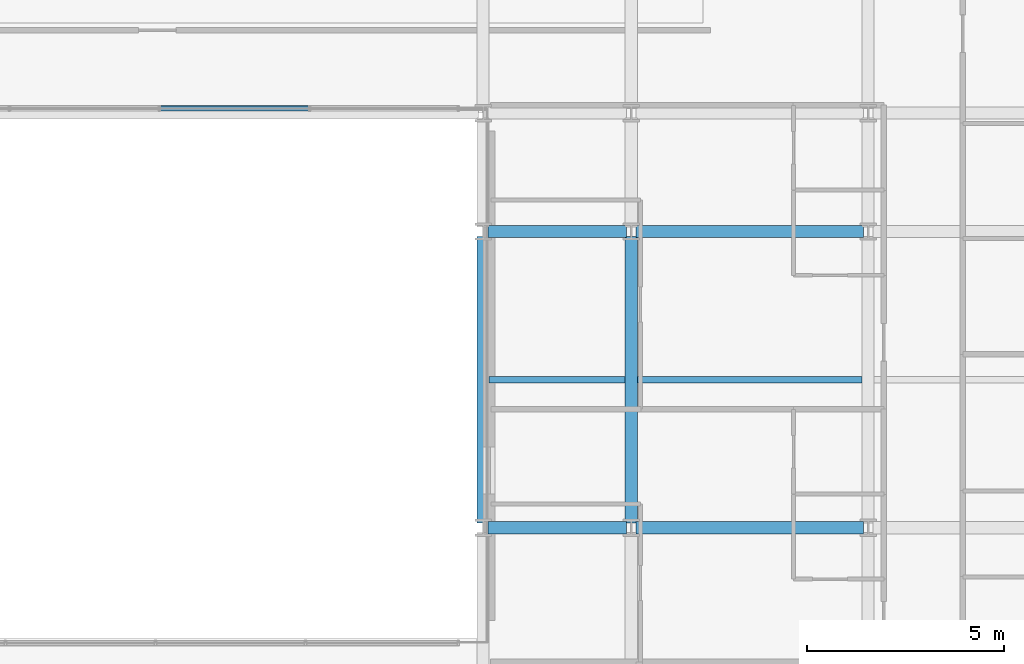
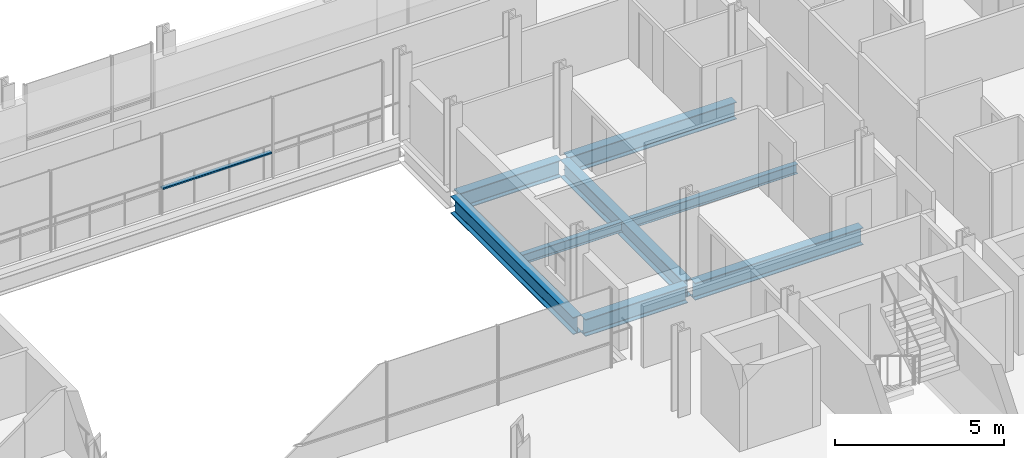
# One storey, part 16 of 39: 8 beams, 1 member, 1 element without a shape of its own.
"""IFC4 building model written with IfcOpenShell, lengths in metres."""

from ifc_helpers import new_model, si_unit, direction, frame, origin, origin_2d, place, context, subcontext, project, spatial, hollow_rectangle, i_section, extrude, material, layer, layer_set, material_profile, profile_set, type_object, element, aggregate, save


model = new_model("IFC4")

# Units and contexts
model_context = context("Model", 3, precision=1e-05, world=origin(), true_north=direction((0.0, 1.0)))
body_context = subcontext(model_context, "Body", "Model", "MODEL_VIEW")
ifc_project = project(units=[si_unit("LENGTHUNIT", "METRE"), si_unit("AREAUNIT", "SQUARE_METRE"), si_unit("VOLUMEUNIT", "CUBIC_METRE"), si_unit("PLANEANGLEUNIT", "RADIAN"), si_unit("MASSUNIT", "GRAM", prefix="KILO")], contexts=[model_context])

# Site, building, storey
site_placement = place(None, origin())
site = spatial("IfcSite", under=ifc_project, at=site_placement, CompositionType="ELEMENT")
building_placement = place(site_placement, origin())
building = spatial("IfcBuilding", under=site, at=building_placement, Name="Brevholm Reach", CompositionType="ELEMENT")
storey_placement = place(building_placement, frame((0.0, 0.0, 90.0)))
storey = spatial("IfcBuildingStorey", under=building, at=storey_placement, Name="L26", CompositionType="ELEMENT", Elevation=90.0)

# Beams
ifc_material_1 = material(Name="Structural Steel S355J2", Category="steel")
ifc_material_profile_1 = material_profile(ifc_material_1, i_section(OverallWidth=0.17138671875, OverallDepth=0.35498046875, WebThickness=0.00732421875, FlangeThickness=0.011474609375, FilletRadius=0.01025390625, at=origin_2d()), Name="UKB 356x171x51")
ifc_profile_set_1 = profile_set([ifc_material_profile_1], Name="Structural Steel S355J2")
beam_type_1 = type_object("IfcBeamType", Name="BM-B356", PredefinedType="BEAM", material=ifc_profile_set_1)
beam_1_placement = place(storey_placement, frame((38.403564453125, 19.75, -0.407470703125), z_axis=(1.0, 0.0, 0.0), x_axis=(0.0, 1.0, 0.0)))
element("IfcBeam", 1, at=beam_1_placement, inside=storey, type_object=beam_type_1, Name="L26 Composite Secondary Floor Beam", PredefinedType="BEAM", context=body_context, shape_type="SweptSolid", body=[
    extrude(i_section(OverallWidth=0.17138671875, OverallDepth=0.35498046875, WebThickness=0.00732421875, FlangeThickness=0.011474609375, FilletRadius=0.01025390625, at=origin_2d()), origin(), (0.0, 0.0, 1.0), 3.44287109375),
])
beam_2_placement = place(storey_placement, frame((42.153564453125, 19.75, -0.407470703125), z_axis=(1.0, 0.0, 0.0), x_axis=(0.0, 1.0, 0.0)))
element("IfcBeam", 2, at=beam_2_placement, inside=storey, type_object=beam_type_1, Name="L26 Composite Secondary Floor Beam", PredefinedType="BEAM", context=body_context, shape_type="SweptSolid", body=[
    extrude(i_section(OverallWidth=0.17138671875, OverallDepth=0.35498046875, WebThickness=0.00732421875, FlangeThickness=0.011474609375, FilletRadius=0.01025390625, at=origin_2d()), origin(), (0.0, 0.0, 1.0), 5.69287109375),
])
ifc_material_2 = material(Name="Structural Steel S355J2", Category="steel")
ifc_material_profile_2 = material_profile(ifc_material_2, i_section(OverallWidth=0.30712890625, OverallDepth=0.6201171875, WebThickness=0.01416015625, FlangeThickness=0.023681640625, FilletRadius=0.0166015625, at=origin_2d()), Name="UKB 610x305x179")
ifc_profile_set_2 = profile_set([ifc_material_profile_2], Name="Structural Steel S355J2")
beam_type_2 = type_object("IfcBeamType", Name="BM-UKB610H", PredefinedType="USERDEFINED", material=ifc_profile_set_2)
beam_3_placement = place(storey_placement, frame((38.3701171875, 16.0, -0.5400390625), z_axis=(1.0, 0.0, 0.0), x_axis=(0.0, 1.0, 0.0)))
element("IfcBeam", 3, at=beam_3_placement, inside=storey, type_object=beam_type_2, Name="L26 G-06 Framing Beam", ObjectType="GIRDER", PredefinedType="USERDEFINED", context=body_context, shape_type="SweptSolid", body=[
    extrude(i_section(OverallWidth=0.30712890625, OverallDepth=0.6201171875, WebThickness=0.01416015625, FlangeThickness=0.023681640625, FilletRadius=0.0166015625, at=origin_2d()), origin(), (0.0, 0.0, 1.0), 3.509765625),
])
beam_4_placement = place(storey_placement, frame((42.1201171875, 16.0, -0.5400390625), z_axis=(1.0, 0.0, 0.0), x_axis=(0.0, 1.0, 0.0)))
element("IfcBeam", 4, at=beam_4_placement, inside=storey, type_object=beam_type_2, Name="L26 G-06 Framing Beam", ObjectType="GIRDER", PredefinedType="USERDEFINED", context=body_context, shape_type="SweptSolid", body=[
    extrude(i_section(OverallWidth=0.30712890625, OverallDepth=0.6201171875, WebThickness=0.01416015625, FlangeThickness=0.023681640625, FilletRadius=0.0166015625, at=origin_2d()), origin(), (0.0, 0.0, 1.0), 5.759765625),
])
beam_5_placement = place(storey_placement, frame((38.3701171875, 23.5, -0.5400390625), z_axis=(1.0, 0.0, 0.0), x_axis=(0.0, 1.0, 0.0)))
element("IfcBeam", 5, at=beam_5_placement, inside=storey, type_object=beam_type_2, Name="L26 G-06 Framing Beam", ObjectType="GIRDER", PredefinedType="USERDEFINED", context=body_context, shape_type="SweptSolid", body=[
    extrude(i_section(OverallWidth=0.30712890625, OverallDepth=0.6201171875, WebThickness=0.01416015625, FlangeThickness=0.023681640625, FilletRadius=0.0166015625, at=origin_2d()), origin(), (0.0, 0.0, 1.0), 3.509765625),
])
beam_6_placement = place(storey_placement, frame((42.1201171875, 23.5, -0.5400390625), z_axis=(1.0, 0.0, 0.0), x_axis=(0.0, 1.0, 0.0)))
element("IfcBeam", 6, at=beam_6_placement, inside=storey, type_object=beam_type_2, Name="L26 G-06 Framing Beam", ObjectType="GIRDER", PredefinedType="USERDEFINED", context=body_context, shape_type="SweptSolid", body=[
    extrude(i_section(OverallWidth=0.30712890625, OverallDepth=0.6201171875, WebThickness=0.01416015625, FlangeThickness=0.023681640625, FilletRadius=0.0166015625, at=origin_2d()), origin(), (0.0, 0.0, 1.0), 5.759765625),
])
for number, where, z_axis, x_axis, name in (
    (7, (38.25, 16.1201171875, -0.5400390625), (0.0, 1.0, 0.0), (-1.0, 0.0, 0.0), "L26 G-06 Framing Beam"),
    (8, (42.0, 16.1201171875, -0.5400390625), (0.0, 1.0, 0.0), (-1.0, 0.0, 0.0), "L26 G-06 Framing Beam"),
):
    element("IfcBeam", number, at=place(storey_placement, frame(where, z_axis=z_axis, x_axis=x_axis)), inside=storey, type_object=beam_type_2, Name=name, ObjectType="GIRDER", PredefinedType="USERDEFINED", context=body_context, shape_type="SweptSolid", body=[
        extrude(i_section(OverallWidth=0.30712890625, OverallDepth=0.6201171875, WebThickness=0.01416015625, FlangeThickness=0.023681640625, FilletRadius=0.0166015625, at=origin_2d()), origin(), (0.0, 0.0, 1.0), 7.259765625),
    ])

# Curtain wall, member
ifc_material_3 = material(Name="Dark Anodised Aluminium 6063-T6 and Solar-Control Glass", Category="aluminium")
ifc_layer = layer(ifc_material_3, 0.139892578125)
ifc_layer_set = layer_set([ifc_layer], Name="Dark Anodised Aluminium 6063-T6 and Solar-Control Glass")
curtain_wall_type = type_object("IfcCurtainWallType", Name="CW-02", PredefinedType="NOTDEFINED", material=ifc_layer_set)
curtain_wall_placement = place(storey_placement, origin())
curtain_wall = element("IfcCurtainWall", 9, at=curtain_wall_placement, inside=storey, type_object=curtain_wall_type, Name="L26 Curtain Wall CW-02", PredefinedType="NOTDEFINED")
ifc_material_4 = material(Name="Dark Anodised Aluminium 6063-T6", Category="aluminium")
ifc_material_profile_3 = material_profile(ifc_material_4, hollow_rectangle(XDim=0.06005859375, YDim=0.139892578125, WallThickness=0.0048828125, InnerFilletRadius=0.0048828125, OuterFilletRadius=0.010009765625, at=origin_2d()), Name="RHS 140x60x5")
ifc_profile_set_3 = profile_set([ifc_material_profile_3], Name="Dark Anodised Aluminium 6063-T6")
member_type = type_object("IfcMemberType", Name="CWT-140", PredefinedType="NOTDEFINED", material=ifc_profile_set_3)
member_placement = place(storey_placement, frame((33.820068359375, 26.6201171875, 0.89990234375), z_axis=(-1.0, 0.0, 0.0), x_axis=(0.0, 0.0, 1.0)))
member = element("IfcMember", 10, at=member_placement, type_object=member_type, Name="CT-140 Transom 2.1", ObjectType="TRANSOM", PredefinedType="USERDEFINED", context=body_context, shape_type="SweptSolid", body=[
    extrude(hollow_rectangle(XDim=0.06005859375, YDim=0.139892578125, WallThickness=0.0048828125, InnerFilletRadius=0.0048828125, OuterFilletRadius=0.010009765625, at=origin_2d()), origin(), (0.0, 0.0, 1.0), 3.739990234375),
])
aggregate(curtain_wall, [member])

save(model, "model.ifc")
